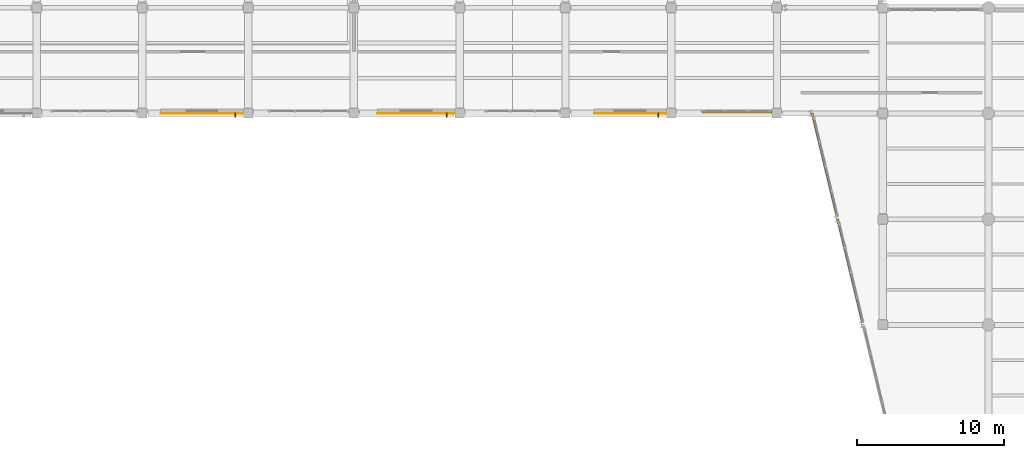
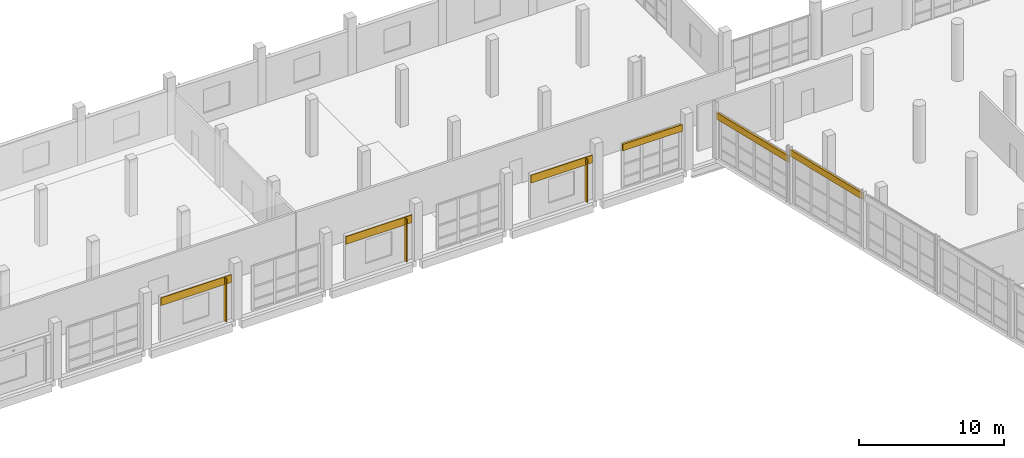
# One storey, part 119 of 127: 6 shading devices, 3 coverings.
"""IFC4 building model written with IfcOpenShell, lengths in metres."""

import ifcopenshell
import ifcopenshell.guid

model = None  # the IFC model being written
_history = None  # IfcOwnerHistory: only IFC2X3 demands one
_inside = {}  # id of a spatial element -> (the spatial element, [elements in it])
_under = {}  # id of a project, library or spatial element -> (it, [spatial elements below it])
_declared = {}  # id of a project -> (the project, [libraries it declares])
_typed = {}  # id of a type object -> (the type object, [elements of that type])
_made_of = {}  # id of a material, layer set ... -> (it, [elements and type objects made of it])


def new_model(schema):
    """Start an empty IFC model of exactly this schema.

    Asked for "IFC4X3", IfcOpenShell would pick the latest addendum, in which some entities
    have other attributes; the version numbers below select the first issue.
    IFC2X3 requires an IfcOwnerHistory on every rooted entity: one is made here for all.
    """
    global model, _history
    if schema == "IFC4X3":
        model = ifcopenshell.file(schema_version=(4, 3, 0, 0))
    else:
        model = ifcopenshell.file(schema=schema)
    _inside.clear()
    _under.clear()
    _declared.clear()
    _typed.clear()
    _made_of.clear()
    _history = None
    if model.schema == "IFC2X3":
        org = make("IfcOrganization", Name="unknown")
        user = make(
            "IfcPersonAndOrganization",
            ThePerson=make("IfcPerson", FamilyName="unknown"),
            TheOrganization=org,
        )
        app = make(
            "IfcApplication",
            ApplicationDeveloper=org,
            Version="unknown",
            ApplicationFullName="unknown",
            ApplicationIdentifier="unknown",
        )
        _history = make(
            "IfcOwnerHistory",
            OwningUser=user,
            OwningApplication=app,
            ChangeAction="ADDED",
            CreationDate=0,
        )
    return model


def make(cls, **values):
    """One entity of the class cls with the attributes given. An attribute that is None is left unset."""
    return model.create_entity(
        cls, **{name: value for name, value in values.items() if value is not None}
    )


def rooted(cls, **values):
    """An entity with a GlobalId (a new one), such as an element, a storey or a relation."""
    return make(cls, GlobalId=ifcopenshell.guid.new(), OwnerHistory=_history, **values)


def si_unit(unit_type, name, prefix=None):
    """IfcSIUnit, for example si_unit("LENGTHUNIT", "METRE", prefix="MILLI")."""
    return make("IfcSIUnit", UnitType=unit_type, Prefix=prefix, Name=name)


def assignment(units):
    """IfcUnitAssignment: the units of a project."""
    return None if units is None else make("IfcUnitAssignment", Units=units)


def point(xyz):
    """IfcCartesianPoint."""
    return None if xyz is None else make("IfcCartesianPoint", Coordinates=xyz)


def direction(xyz):
    """IfcDirection."""
    return None if xyz is None else make("IfcDirection", DirectionRatios=xyz)


def frame(location, z_axis=None, x_axis=None):
    """IfcAxis2Placement3D, a coordinate frame: its origin and axes. An axis left out is left unset."""
    return make(
        "IfcAxis2Placement3D",
        Location=point(location),
        Axis=direction(z_axis),
        RefDirection=direction(x_axis),
    )


def frame_2d(location, x_axis=None):
    """IfcAxis2Placement2D, a coordinate frame in the plane: its origin and x axis."""
    return make(
        "IfcAxis2Placement2D", Location=point(location), RefDirection=direction(x_axis)
    )


def origin():
    """The frame at (0, 0, 0) with its axes left unset."""
    return frame((0.0, 0.0, 0.0))


def origin_2d():
    """The frame at (0, 0) in the plane with its x axis left unset."""
    return frame_2d((0.0, 0.0))


def place(relative_to, where):
    """IfcLocalPlacement: puts the frame where relative to a parent placement (None: the world)."""
    return make(
        "IfcLocalPlacement", PlacementRelTo=relative_to, RelativePlacement=where
    )


def context(
    kind, dimensions, precision=None, world=None, true_north=None, identifier=None
):
    """IfcGeometricRepresentationContext, for example the 3D "Model" context."""
    return make(
        "IfcGeometricRepresentationContext",
        ContextIdentifier=identifier,
        ContextType=kind,
        CoordinateSpaceDimension=dimensions,
        Precision=precision,
        WorldCoordinateSystem=world,
        TrueNorth=true_north,
    )


def subcontext(parent, identifier, kind, view, scale=None):
    """IfcGeometricRepresentationSubContext, for example "Body" below "Model"."""
    return make(
        "IfcGeometricRepresentationSubContext",
        ContextIdentifier=identifier,
        ContextType=kind,
        ParentContext=parent,
        TargetScale=scale,
        TargetView=view,
    )


def project(units=None, contexts=None):
    """IfcProject with its units and contexts."""
    return rooted(
        "IfcProject",
        Name="project",
        RepresentationContexts=contexts,
        UnitsInContext=assignment(units),
    )


def spatial(cls, under=None, at=None, **own):
    """A site, building, storey or space (cls), placed at a placement, below another one or the project."""
    s = rooted(cls, ObjectPlacement=at, **own)
    if under is not None:
        _under.setdefault(under.id(), (under, []))[1].append(s)
    return s


def profile(cls, at=None, kind="AREA", **sizes):
    """A parametric profile (cls). Its sizes go by their IFC names, for example OverallWidth=200.0."""
    return make(cls, ProfileType=kind, Position=at, **sizes)


def rectangle(**sizes):
    """IfcRectangleProfileDef."""
    return profile("IfcRectangleProfileDef", **sizes)


def extrude(swept, where, along, depth):
    """IfcExtrudedAreaSolid: the profile swept, set in the frame where, extruded along a direction by depth."""
    return make(
        "IfcExtrudedAreaSolid",
        SweptArea=swept,
        Position=where,
        ExtrudedDirection=direction(along),
        Depth=depth,
    )


def shape(context_of_items, identifier, shape_type, items):
    """IfcShapeRepresentation: the items that make up one representation, for example the "Body"."""
    return make(
        "IfcShapeRepresentation",
        ContextOfItems=context_of_items,
        RepresentationIdentifier=identifier,
        RepresentationType=shape_type,
        Items=items,
    )


def material(Name=None, Category=None):
    """IfcMaterial."""
    return make("IfcMaterial", Name=Name, Category=Category)


def layer(
    of_material, thickness, ventilated=None, Name=None, Category=None, Priority=None
):
    """IfcMaterialLayer: one layer of a wall or slab, of a material (None: an air gap)."""
    return make(
        "IfcMaterialLayer",
        Material=of_material,
        LayerThickness=thickness,
        IsVentilated=ventilated,
        Name=Name,
        Category=Category,
        Priority=Priority,
    )


def layer_set(layers, Name=None):
    """IfcMaterialLayerSet."""
    return make("IfcMaterialLayerSet", MaterialLayers=layers, LayerSetName=Name)


def made_of(thing, what):
    """Note that an element or type object is made of a material, layer set ...; save() writes the relation."""
    if what is not None:
        _made_of.setdefault(what.id(), (what, []))[1].append(thing)
    return thing


def type_object(cls, material=None, **own):
    """A type object (cls), such as IfcWallType, which elements share."""
    return made_of(rooted(cls, **own), material)


def element(
    cls,
    number,
    at=None,
    inside=None,
    cuts=None,
    type_object=None,
    material=None,
    context=None,
    identifier="Body",
    shape_type=None,
    held_by="IfcProductDefinitionShape",
    body=None,
    shapes=None,
    **own,
):
    """One element of the class cls, such as IfcWall. Its Tag is "e" and its number.

    at: its placement. inside: the storey or other place that contains it. cuts: it is an
    opening in that element (IfcRelVoidsElement). A single representation is given by context,
    identifier, shape_type and body (its items); several are given by shapes. held_by: the class
    of the entity that holds the representations. save() writes the other relations.
    """
    e = rooted(cls, Tag="e%d" % number, ObjectPlacement=at, **own)
    if body is not None:
        shapes = [shape(context, identifier, shape_type, body)]
    if shapes is not None:
        e.Representation = make(held_by, Representations=shapes)
    if inside is not None:
        _inside.setdefault(inside.id(), (inside, []))[1].append(e)
    if cuts is not None:
        rooted(
            "IfcRelVoidsElement", RelatingBuildingElement=cuts, RelatedOpeningElement=e
        )
    if type_object is not None:
        _typed.setdefault(type_object.id(), (type_object, []))[1].append(e)
    return made_of(e, material)


def aggregate(whole, parts):
    """IfcRelAggregates: a whole, such as a stair, and the parts it consists of."""
    return rooted("IfcRelAggregates", RelatingObject=whole, RelatedObjects=parts)


def save(model, path):
    """Write the relations noted so far, then the file.

    IfcRelAggregates (storeys below a building ...), IfcRelContainedInSpatialStructure (elements
    in a storey), IfcRelDefinesByType, IfcRelAssociatesMaterial and IfcRelDeclares: one each for
    every whole, place, type object, material and project.
    """
    for whole, parts in _under.values():
        aggregate(whole, parts)
    for where, things in _inside.values():
        rooted(
            "IfcRelContainedInSpatialStructure",
            RelatedElements=things,
            RelatingStructure=where,
        )
    for kind, things in _typed.values():
        rooted("IfcRelDefinesByType", RelatedObjects=things, RelatingType=kind)
    for what, things in _made_of.values():
        rooted("IfcRelAssociatesMaterial", RelatedObjects=things, RelatingMaterial=what)
    for by, libraries in _declared.values():
        rooted("IfcRelDeclares", RelatingContext=by, RelatedDefinitions=libraries)
    model.write(path)


model = new_model("IFC4")

# Units and contexts
model_context = context("Model", 3, precision=1e-05, world=origin(), true_north=direction((0.0, 1.0)))
body_context = subcontext(model_context, "Body", "Model", "MODEL_VIEW")
ifc_project = project(units=[si_unit("LENGTHUNIT", "METRE"), si_unit("AREAUNIT", "SQUARE_METRE"), si_unit("VOLUMEUNIT", "CUBIC_METRE"), si_unit("PLANEANGLEUNIT", "RADIAN"), si_unit("MASSUNIT", "GRAM", prefix="KILO")], contexts=[model_context])

# Site, building, storey
site_placement = place(None, origin())
site = spatial("IfcSite", under=ifc_project, at=site_placement, CompositionType="ELEMENT")
building_placement = place(site_placement, origin())
building = spatial("IfcBuilding", under=site, at=building_placement, Name="Kalmorath City Hall", CompositionType="ELEMENT")
storey_placement = place(building_placement, frame((0.0, 0.0, 5.39990234375)))
storey = spatial("IfcBuildingStorey", under=building, at=storey_placement, Name="L01", CompositionType="ELEMENT", Elevation=5.39990234375)

# Shading devices
ifc_material_1 = material(Name="Bronze anodised aluminium", Category="aluminium")
ifc_layer_1 = layer(ifc_material_1, 0.06005859375)
ifc_layer_set_1 = layer_set([ifc_layer_1], Name="Bronze anodised aluminium")
shading_device_type_1 = type_object("IfcShadingDeviceType", Name="Bronze vertical solar fin 320", PredefinedType="USERDEFINED", material=ifc_layer_set_1)
for number, where, z_axis, x_axis, name in (
    (1, (114.323974609375, 93.5, 0.050048828125), (0.0, 0.0, 1.0), (-1.0, 0.0, 0.0), "L01 bronze solar fin #172"),
    (2, (99.924072265625, 93.5, 0.050048828125), (0.0, 0.0, 1.0), (-1.0, 0.0, 0.0), "L01 bronze solar fin #173"),
    (3, (85.52392578125, 93.5, 0.050048828125), (0.0, 0.0, 1.0), (-1.0, 0.0, 0.0), "L01 bronze solar fin #174"),
):
    element("IfcShadingDevice", number, at=place(storey_placement, frame(where, z_axis=z_axis, x_axis=x_axis)), inside=storey, type_object=shading_device_type_1, Name=name, ObjectType="FIN", PredefinedType="USERDEFINED", context=body_context, shape_type="SweptSolid", body=[
        extrude(rectangle(XDim=0.06005859375, YDim=0.320068359375, at=origin_2d()), origin(), (0.0, 0.0, 1.0), 3.65087890625),
    ])
ifc_material_2 = material(Name="Bronze anodised storm louvre")
ifc_layer_2 = layer(ifc_material_2, 0.139892578125)
ifc_layer_set_2 = layer_set([ifc_layer_2], Name="Bronze anodised storm louvre")
shading_device_type_2 = type_object("IfcShadingDeviceType", Name="Hurricane bronze storm louvre bank", PredefinedType="JALOUSIE", material=ifc_layer_set_2)
for number, where, z_axis, x_axis, name in (
    (4, (127.37255859375, 82.895263671875, 3.9453125), (0.0, 0.0, 1.0), (-0.233445363856, 0.972369920398, 0.0), "L01 library storm louvre #169"),
    (5, (125.643798828125, 90.09521484375, 3.31396484375), (0.0, 0.0, 1.0), (-0.233445363856, 0.972369920398, 0.0), "L01 library storm louvre #170"),
):
    element("IfcShadingDevice", number, at=place(storey_placement, frame(where, z_axis=z_axis, x_axis=x_axis)), inside=storey, type_object=shading_device_type_2, Name=name, PredefinedType="JALOUSIE", context=body_context, shape_type="SweptSolid", body=[
        extrude(rectangle(XDim=7.2568359375, YDim=0.139892578125, at=origin_2d()), origin(), (0.0, 0.0, 1.0), 0.550048828125),
    ])
shading_device_placement = place(storey_placement, frame((119.698486328125, 93.699951171875, 3.17626953125), z_axis=(0.0, 0.0, 1.0), x_axis=(-1.0, 0.0, 0.0)))
element("IfcShadingDevice", 6, at=shading_device_placement, inside=storey, type_object=shading_device_type_2, Name="L01 library storm louvre #171", PredefinedType="JALOUSIE", context=body_context, shape_type="SweptSolid", body=[
    extrude(rectangle(XDim=4.751220703125, YDim=0.139892578125, at=origin_2d()), origin(), (0.0, 0.0, 1.0), 0.550048828125),
])

# Coverings
ifc_material_3 = material(Name="Volcanic basalt stone cladding", Category="masonry")
ifc_layer_3 = layer(ifc_material_3, 0.06005859375)
ifc_layer_set_3 = layer_set([ifc_layer_3], Name="Volcanic basalt stone cladding")
covering_type = type_object("IfcCoveringType", Name="Volcanic basalt stone rainscreen cladding", PredefinedType="CLADDING", material=ifc_layer_set_3)
covering_1_placement = place(storey_placement, frame((112.409912109375, 93.594970703125, 3.076171875), z_axis=(0.0, 0.0, 1.0), x_axis=(-1.0, 0.0, 0.0)))
element("IfcCovering", 7, at=covering_1_placement, inside=storey, type_object=covering_type, Name="L01 basalt spandrel cladding #33", PredefinedType="CLADDING", context=body_context, shape_type="SweptSolid", body=[
    extrude(rectangle(XDim=4.92822265625, YDim=0.06005859375, at=origin_2d()), origin(), (0.0, 0.0, 1.0), 0.64990234375),
])
covering_2_placement = place(storey_placement, frame((97.8330078125, 93.594970703125, 3.076171875), z_axis=(0.0, 0.0, 1.0), x_axis=(-1.0, 0.0, 0.0)))
element("IfcCovering", 8, at=covering_2_placement, inside=storey, type_object=covering_type, Name="L01 basalt spandrel cladding #34", PredefinedType="CLADDING", context=body_context, shape_type="SweptSolid", body=[
    extrude(rectangle(XDim=5.281982421875, YDim=0.06005859375, at=origin_2d()), origin(), (0.0, 0.0, 1.0), 0.64990234375),
])
covering_3_placement = place(storey_placement, frame((83.256103515625, 93.594970703125, 3.076171875), z_axis=(0.0, 0.0, 1.0), x_axis=(-1.0, 0.0, 0.0)))
element("IfcCovering", 9, at=covering_3_placement, inside=storey, type_object=covering_type, Name="L01 basalt spandrel cladding #35", PredefinedType="CLADDING", context=body_context, shape_type="SweptSolid", body=[
    extrude(rectangle(XDim=5.6357421875, YDim=0.06005859375, at=origin_2d()), origin(), (0.0, 0.0, 1.0), 0.64990234375),
])

save(model, "model.ifc")
